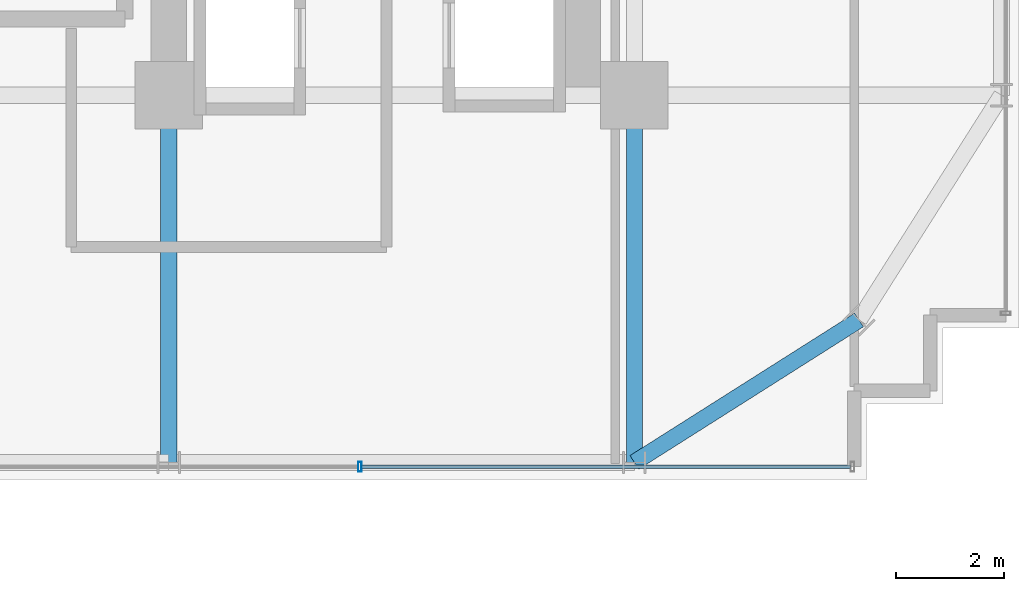
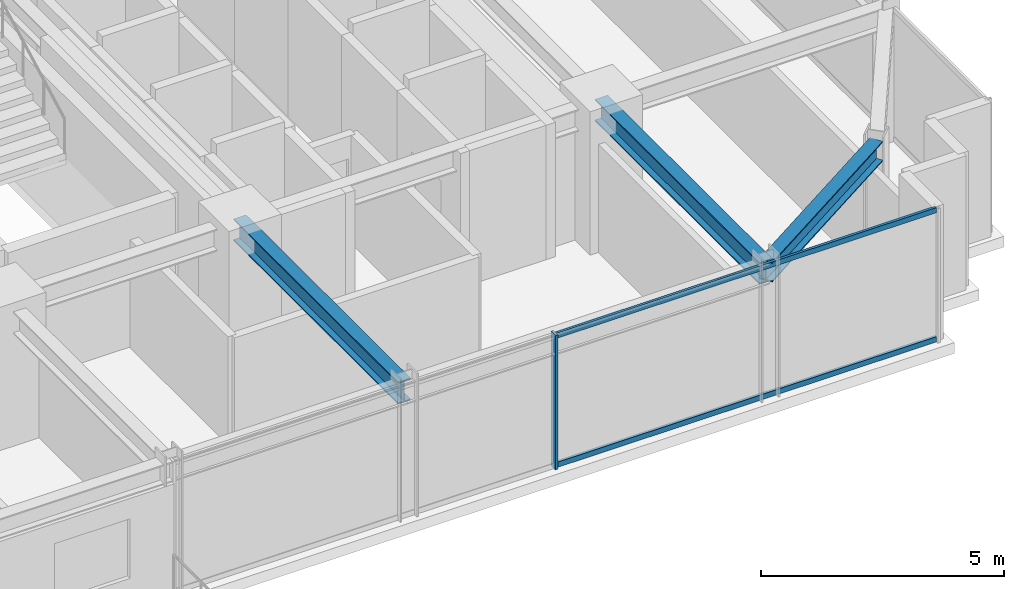
# One storey, part 10 of 31: 3 beams, 3 members, 1 element without a shape of its own.
"""IFC4 building model written with IfcOpenShell, lengths in metres."""

from ifc_helpers import new_model, si_unit, direction, frame, origin, origin_2d, place, context, subcontext, project, spatial, hollow_rectangle, i_section, extrude, source, transform, mapped, material, material_profile, profile_set, type_object, element, aggregate, save


model = new_model("IFC4")

# Units and contexts
model_context = context("Model", 3, precision=1e-05, world=origin(), true_north=direction((0.0, 1.0)))
body_context = subcontext(model_context, "Body", "Model", "MODEL_VIEW")
ifc_project = project(units=[si_unit("LENGTHUNIT", "METRE"), si_unit("AREAUNIT", "SQUARE_METRE"), si_unit("VOLUMEUNIT", "CUBIC_METRE"), si_unit("PLANEANGLEUNIT", "RADIAN"), si_unit("MASSUNIT", "GRAM", prefix="KILO")], contexts=[model_context])

# Site, building, storey
site_placement = place(None, origin())
site = spatial("IfcSite", under=ifc_project, at=site_placement, CompositionType="ELEMENT")
building_placement = place(site_placement, origin())
building = spatial("IfcBuilding", under=site, at=building_placement, Name="Nahalor Promenade Grand Hotel", CompositionType="ELEMENT")
storey_placement = place(building_placement, frame((0.0, 0.0, 95.60009765625)))
storey = spatial("IfcBuildingStorey", under=building, at=storey_placement, Name="L23", CompositionType="ELEMENT", Elevation=95.60009765625)

# Beams
ifc_material_1 = material(Name="Steel S355JR", Category="steel")
ifc_material_profile_1 = material_profile(ifc_material_1, i_section(OverallWidth=0.3, OverallDepth=0.5, WebThickness=0.0145, FlangeThickness=0.028, at=origin_2d()), Name="HEB 500")
ifc_profile_set_1 = profile_set([ifc_material_profile_1], Name="Steel S355JR")
beam_type_1 = type_object("IfcBeamType", Name="Beam-Spandrel-HEB500", PredefinedType="SPANDREL", material=ifc_profile_set_1)
shared_shape_1 = source(origin(), body_context, "Body", "SweptSolid", [
    extrude(i_section(OverallWidth=0.3, OverallDepth=0.5, WebThickness=0.0145, FlangeThickness=0.028, at=origin_2d()), origin(), (0.0, 0.0, 1.0), 4.9130859375),
])
beam_placement = place(storey_placement, frame((17.0, -23.780029296875, 3.1298828125), z_axis=(0.844648325505, 0.535321591403, 0.0), x_axis=(-0.535321591403, 0.844648325505, 0.0)))
element("IfcBeam", 1, at=beam_placement, inside=storey, type_object=beam_type_1, Name="BM-L23-SPC-SE-1", PredefinedType="SPANDREL", context=body_context, shape_type="MappedRepresentation", body=[
    mapped(shared_shape_1, transform((0.0, 0.0, 0.0), scale=1.0)),
])
ifc_material_profile_2 = material_profile(ifc_material_1, i_section(OverallWidth=0.3, OverallDepth=0.55, WebThickness=0.015, FlangeThickness=0.029, at=origin_2d()), Name="HEB 550")
ifc_profile_set_2 = profile_set([ifc_material_profile_2], Name="Steel S355JR")
beam_type_2 = type_object("IfcBeamType", Name="Beam-Girder-HEB550", PredefinedType="BEAM", material=ifc_profile_set_2)
shared_shape_2 = source(origin(), body_context, "Body", "SweptSolid", [
    extrude(i_section(OverallWidth=0.3, OverallDepth=0.55, WebThickness=0.015, FlangeThickness=0.029, at=origin_2d()), origin(), (0.0, 0.0, 1.0), 6.780029296875),
])
for number, where, z_axis, x_axis, name in (
    (2, (8.39990234375, -23.780029296875, 3.10498046875), (0.0, 1.0, 0.0), (-1.0, 0.0, 0.0), "BM-L23-GY-4-0"),
    (3, (17.0, -23.780029296875, 3.10498046875), (0.0, 1.0, 0.0), (-1.0, 0.0, 0.0), "BM-L23-GY-5-0"),
):
    element("IfcBeam", number, at=place(storey_placement, frame(where, z_axis=z_axis, x_axis=x_axis)), inside=storey, type_object=beam_type_2, Name=name, PredefinedType="BEAM", context=body_context, shape_type="MappedRepresentation", body=[
        mapped(shared_shape_2, transform((0.0, 0.0, 0.0), scale=1.0)),
    ])

# Curtain wall, members
ifc_material_2 = material(Name="Anodised Bronze Aluminium EN AW-6063 T6", Category="aluminium")
curtain_wall_type = type_object("IfcCurtainWallType", Name="CW2 Typical Hotel Flush Bronze Unitised Curtain Wall", PredefinedType="USERDEFINED", material=ifc_material_2)
curtain_wall_placement = place(storey_placement, origin())
curtain_wall = element("IfcCurtainWall", 4, at=curtain_wall_placement, inside=storey, type_object=curtain_wall_type, Name="L23 Curtain Wall CW-L23-S-3", ObjectType="UNITISED_CURTAIN_WALL", PredefinedType="USERDEFINED")
ifc_material_profile_3 = material_profile(ifc_material_2, hollow_rectangle(XDim=0.065, YDim=0.18, WallThickness=0.004, at=origin_2d()), Name="CWM 65x180x4")
ifc_profile_set_3 = profile_set([ifc_material_profile_3], Name="Anodised Bronze Aluminium EN AW-6063 T6")
member_type_1 = type_object("IfcMemberType", Name="CWM2 Typical Bronze Mullion 65x180", PredefinedType="MULLION", material=ifc_profile_set_3)
shared_shape_3 = source(origin(), body_context, "Body", "SweptSolid", [
    extrude(hollow_rectangle(XDim=0.065, YDim=0.18, WallThickness=0.004, at=origin_2d()), origin(), (0.0, 0.0, 1.0), 3.3798828125),
])
member_1_placement = place(storey_placement, frame((11.929931640625, -23.860107421875, 0.0), z_axis=(0.0, 0.0, 1.0), x_axis=(1.0, 0.0, 0.0)))
member_1 = element("IfcMember", 5, at=member_1_placement, type_object=member_type_1, Name="CW-L23-S-3 Mullion 1", PredefinedType="MULLION", context=body_context, shape_type="MappedRepresentation", body=[
    mapped(shared_shape_3, transform((0.0, 0.0, 0.0), scale=1.0)),
])
ifc_material_profile_4 = material_profile(ifc_material_2, hollow_rectangle(XDim=0.065, YDim=0.13, WallThickness=0.004, at=origin_2d()), Name="CWT 65x130x4")
ifc_profile_set_4 = profile_set([ifc_material_profile_4], Name="Anodised Bronze Aluminium EN AW-6063 T6")
member_type_2 = type_object("IfcMemberType", Name="CWT2 Typical Bronze Transom 65x130", PredefinedType="USERDEFINED", material=ifc_profile_set_4)
shared_shape_4 = source(origin(), body_context, "Body", "SweptSolid", [
    extrude(hollow_rectangle(XDim=0.065, YDim=0.13, WallThickness=0.004, at=origin_2d()), origin(), (0.0, 0.0, 1.0), 9.03271484375),
])
member_2_placement = place(storey_placement, frame((11.96240234375, -23.860107421875, 0.06494140625), z_axis=(1.0, 0.0, 0.0), x_axis=(0.0, 1.0, 0.0)))
member_2 = element("IfcMember", 6, at=member_2_placement, type_object=member_type_2, Name="CW-L23-S-3 Transom 1-0", ObjectType="TRANSOM", PredefinedType="USERDEFINED", context=body_context, shape_type="MappedRepresentation", body=[
    mapped(shared_shape_4, transform((0.0, 0.0, 0.0), scale=1.0)),
])
member_3_placement = place(storey_placement, frame((11.96240234375, -23.860107421875, 3.31494140625), z_axis=(1.0, 0.0, 0.0), x_axis=(0.0, 1.0, 0.0)))
member_3 = element("IfcMember", 7, at=member_3_placement, type_object=member_type_2, Name="CW-L23-S-3 Transom 1-1", ObjectType="TRANSOM", PredefinedType="USERDEFINED", context=body_context, shape_type="MappedRepresentation", body=[
    mapped(shared_shape_4, transform((0.0, 0.0, 0.0), scale=1.0)),
])
aggregate(curtain_wall, [member_1, member_2, member_3])

save(model, "model.ifc")
